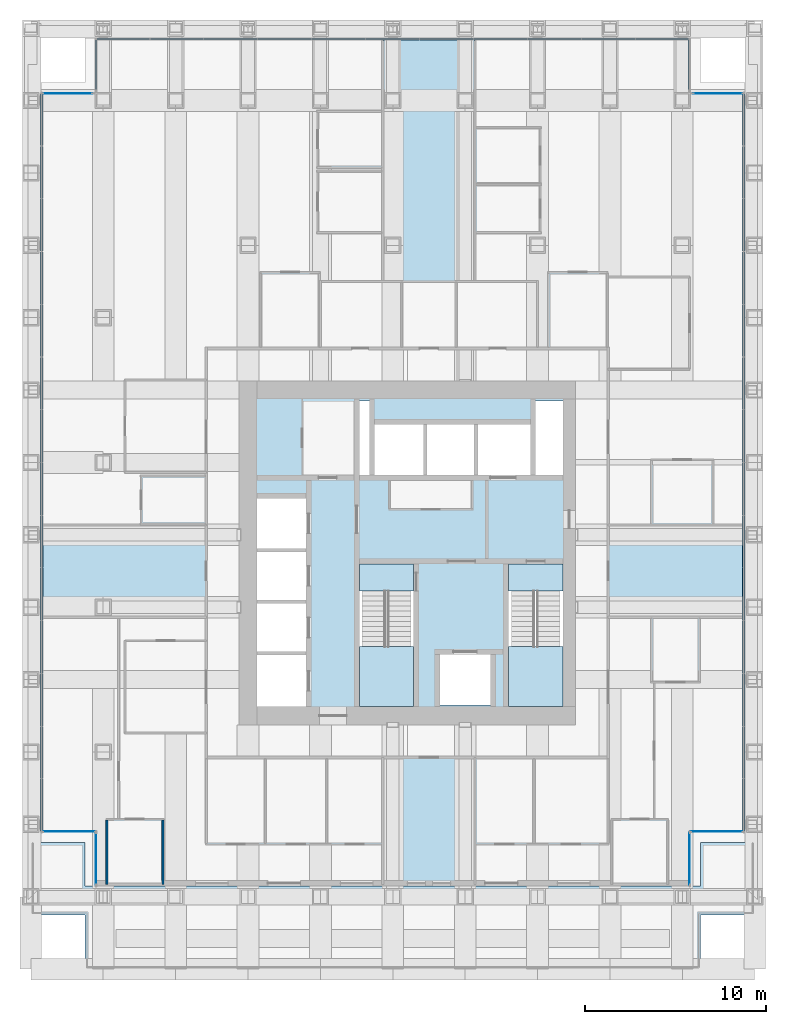
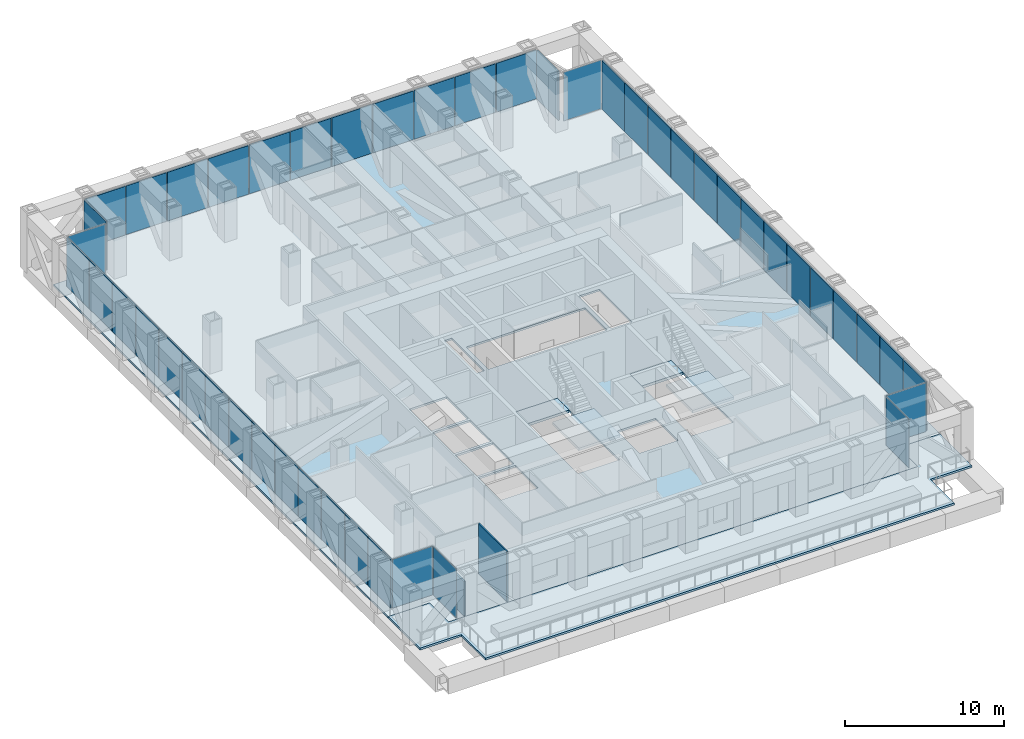
# One storey, part 9 of 16: 47 plates, 6 slabs, 2 walls, 13 elements without a shape of their own.
"""IFC4 building model written with IfcOpenShell, lengths in metres."""

from ifc_helpers import new_model, si_unit, direction, frame, frame_2d, origin, origin_2d, place, context, subcontext, project, spatial, polyline, rectangle, outline, extrude, material, layer, layer_set, type_object, element, aggregate, save


model = new_model("IFC4")

# Units and contexts
model_context = context("Model", 3, precision=1e-05, world=origin(), true_north=direction((0.0, 1.0)))
body_context = subcontext(model_context, "Body", "Model", "MODEL_VIEW")
ifc_project = project(units=[si_unit("LENGTHUNIT", "METRE"), si_unit("AREAUNIT", "SQUARE_METRE"), si_unit("VOLUMEUNIT", "CUBIC_METRE"), si_unit("PLANEANGLEUNIT", "RADIAN"), si_unit("MASSUNIT", "GRAM", prefix="KILO")], contexts=[model_context])

# Site, building, storey
site_placement = place(None, origin())
site = spatial("IfcSite", under=ifc_project, at=site_placement, CompositionType="ELEMENT")
building_placement = place(site_placement, origin())
building = spatial("IfcBuilding", under=site, at=building_placement, Name="Rimbunsela Tower", CompositionType="ELEMENT")
storey_placement = place(building_placement, frame((0.0, 0.0, 171.800048828125)))
storey = spatial("IfcBuildingStorey", under=building, at=storey_placement, Name="L41", CompositionType="ELEMENT", Elevation=171.800048828125)

# Slab
ifc_material_1 = material(Name="Concrete fc' 35 MPa", Category="concrete")
ifc_layer_1 = layer(ifc_material_1, 0.14990234375)
ifc_layer_set_1 = layer_set([ifc_layer_1], Name="Floor slab 150")
slab_type_1 = type_object("IfcSlabType", Name="Floor slab 150", PredefinedType="FLOOR", material=ifc_layer_set_1)
slab_1_placement = place(storey_placement, frame((0.0, 0.0, -0.150146484375)))
element("IfcSlab", 1, at=slab_1_placement, inside=storey, type_object=slab_type_1, Name="Floor slab L41", PredefinedType="FLOOR", context=body_context, shape_type="SweptSolid", body=[
    extrude(outline(polyline([(9.0, 11.0), (9.0, 8.60009765625), (43.0, 8.60009765625), (43.0, 11.0), (46.0, 11.0), (46.0, 53.0), (43.0, 53.0), (43.0, 56.0), (9.0, 56.0), (9.0, 53.0), (6.0, 53.0), (6.0, 11.0), (9.0, 11.0)]), holes=[polyline([(21.199951171875, 21.35009765625), (18.5, 21.35009765625), (18.5, 18.5), (21.199951171875, 18.5), (21.199951171875, 21.35009765625)]), polyline([(21.199951171875, 21.550048828125), (21.199951171875, 24.199951171875), (18.5, 24.199951171875), (18.5, 21.550048828125), (21.199951171875, 21.550048828125)]), polyline([(21.199951171875, 27.050048828125), (18.5, 27.050048828125), (18.5, 24.39990234375), (21.199951171875, 24.39990234375), (21.199951171875, 27.050048828125)]), polyline([(21.199951171875, 27.25), (21.199951171875, 30.0), (18.5, 30.0), (18.5, 27.25), (21.199951171875, 27.25)]), polyline([(27.14990234375, 18.60009765625), (27.14990234375, 26.39990234375), (24.14990234375, 26.39990234375), (24.14990234375, 18.60009765625), (27.14990234375, 18.60009765625)]), polyline([(24.699951171875, 31.300048828125), (24.699951171875, 35.39990234375), (24.14990234375, 35.39990234375), (24.14990234375, 31.300048828125), (24.699951171875, 31.300048828125)]), polyline([(25.0, 34.10009765625), (25.0, 31.300048828125), (33.60009765625, 31.300048828125), (33.60009765625, 34.10009765625), (25.0, 34.10009765625)]), polyline([(31.39990234375, 21.39990234375), (28.60009765625, 21.39990234375), (28.60009765625, 18.60009765625), (31.39990234375, 18.60009765625), (31.39990234375, 21.39990234375)]), polyline([(35.39990234375, 18.60009765625), (35.39990234375, 26.39990234375), (32.39990234375, 26.39990234375), (32.39990234375, 18.60009765625), (35.39990234375, 18.60009765625)]), polyline([(35.39990234375, 31.300048828125), (35.39990234375, 35.39990234375), (33.89990234375, 35.39990234375), (33.89990234375, 31.300048828125), (35.39990234375, 31.300048828125)])]), origin(), (0.0, 0.0, 1.0), 0.150146484375),
])

# Curtain wall, plate
ifc_material_2 = material(Name="Aluminium curtain wall", Category="aluminium")
curtain_wall_type_1 = type_object("IfcCurtainWallType", Name="Corner glazing", PredefinedType="USERDEFINED", material=ifc_material_2)
curtain_wall_1_placement = place(storey_placement, origin())
curtain_wall_1 = element("IfcCurtainWall", 2, at=curtain_wall_1_placement, inside=storey, type_object=curtain_wall_type_1, Name="Corner glazing L41", ObjectType="CORNER GLAZING", PredefinedType="USERDEFINED")
ifc_material_3 = material(Name="Clear double glazing", Category="glass")
ifc_layer_2 = layer(ifc_material_3, 0.028076171875)
ifc_layer_set_2 = layer_set([ifc_layer_2], Name="Glazed panel clear")
plate_type_1 = type_object("IfcPlateType", Name="Glazed panel clear", PredefinedType="CURTAIN_PANEL", material=ifc_layer_set_2)
plate_1_placement = place(storey_placement, frame((42.39990234375, 10.10009765625, 0.06005859375), z_axis=(0.0, 0.0, 1.0), x_axis=(0.0, 1.0, 0.0)))
plate_1 = element("IfcPlate", 3, at=plate_1_placement, type_object=plate_type_1, Name="CW5 panel 1.1", PredefinedType="CURTAIN_PANEL", context=body_context, shape_type="SweptSolid", body=[
    extrude(rectangle(XDim=2.8798828125, YDim=0.028076171875, at=origin_2d()), origin(), (0.0, 0.0, 1.0), 3.72998046875),
])
aggregate(curtain_wall_1, [plate_1])

curtain_wall_2_placement = place(storey_placement, origin())
curtain_wall_2 = element("IfcCurtainWall", 4, at=curtain_wall_2_placement, inside=storey, type_object=curtain_wall_type_1, Name="Corner glazing L41", ObjectType="CORNER GLAZING", PredefinedType="USERDEFINED")
plate_2_placement = place(storey_placement, frame((43.89990234375, 11.60009765625, 0.06005859375), z_axis=(0.0, 0.0, 1.0), x_axis=(1.0, 0.0, 0.0)))
plate_2 = element("IfcPlate", 5, at=plate_2_placement, type_object=plate_type_1, Name="CW5 panel 1.1", PredefinedType="CURTAIN_PANEL", context=body_context, shape_type="SweptSolid", body=[
    extrude(rectangle(XDim=2.8798828125, YDim=0.028076171875, at=origin_2d()), origin(), (0.0, 0.0, 1.0), 3.72998046875),
])
aggregate(curtain_wall_2, [plate_2])

curtain_wall_3_placement = place(storey_placement, origin())
curtain_wall_3 = element("IfcCurtainWall", 6, at=curtain_wall_3_placement, inside=storey, type_object=curtain_wall_type_1, Name="Corner glazing L41", ObjectType="CORNER GLAZING", PredefinedType="USERDEFINED")
plate_3_placement = place(storey_placement, frame((43.97509765625, 52.39990234375, 0.06005859375), z_axis=(0.0, 0.0, 1.0), x_axis=(-1.0, 0.0, 0.0)))
plate_3 = element("IfcPlate", 7, at=plate_3_placement, type_object=plate_type_1, Name="CW5 panel 1.1", PredefinedType="CURTAIN_PANEL", context=body_context, shape_type="SweptSolid", body=[
    extrude(rectangle(XDim=2.72998046875, YDim=0.028076171875, at=origin_2d()), origin(), (0.0, 0.0, 1.0), 3.72998046875),
])
aggregate(curtain_wall_3, [plate_3])

curtain_wall_4_placement = place(storey_placement, origin())
curtain_wall_4 = element("IfcCurtainWall", 8, at=curtain_wall_4_placement, inside=storey, type_object=curtain_wall_type_1, Name="Corner glazing L41", ObjectType="CORNER GLAZING", PredefinedType="USERDEFINED")
plate_4_placement = place(storey_placement, frame((8.02490234375, 52.39990234375, 0.06005859375), z_axis=(0.0, 0.0, 1.0), x_axis=(-1.0, 0.0, 0.0)))
plate_4 = element("IfcPlate", 9, at=plate_4_placement, type_object=plate_type_1, Name="CW5 panel 1.1", PredefinedType="CURTAIN_PANEL", context=body_context, shape_type="SweptSolid", body=[
    extrude(rectangle(XDim=2.72998046875, YDim=0.028076171875, at=origin_2d()), origin(), (0.0, 0.0, 1.0), 3.72998046875),
])
aggregate(curtain_wall_4, [plate_4])

curtain_wall_5_placement = place(storey_placement, origin())
curtain_wall_5 = element("IfcCurtainWall", 10, at=curtain_wall_5_placement, inside=storey, type_object=curtain_wall_type_1, Name="Corner glazing L41", ObjectType="CORNER GLAZING", PredefinedType="USERDEFINED")
plate_5_placement = place(storey_placement, frame((8.10009765625, 11.60009765625, 0.06005859375), z_axis=(0.0, 0.0, 1.0), x_axis=(1.0, 0.0, 0.0)))
plate_5 = element("IfcPlate", 11, at=plate_5_placement, type_object=plate_type_1, Name="CW5 panel 1.1", PredefinedType="CURTAIN_PANEL", context=body_context, shape_type="SweptSolid", body=[
    extrude(rectangle(XDim=2.8798828125, YDim=0.028076171875, at=origin_2d()), origin(), (0.0, 0.0, 1.0), 3.72998046875),
])
aggregate(curtain_wall_5, [plate_5])

curtain_wall_6_placement = place(storey_placement, origin())
curtain_wall_6 = element("IfcCurtainWall", 12, at=curtain_wall_6_placement, inside=storey, type_object=curtain_wall_type_1, Name="Corner glazing L41", ObjectType="CORNER GLAZING", PredefinedType="USERDEFINED")
plate_6_placement = place(storey_placement, frame((9.60009765625, 10.10009765625, 0.06005859375), z_axis=(0.0, 0.0, 1.0), x_axis=(0.0, -1.0, 0.0)))
plate_6 = element("IfcPlate", 13, at=plate_6_placement, type_object=plate_type_1, Name="CW5 panel 1.1", PredefinedType="CURTAIN_PANEL", context=body_context, shape_type="SweptSolid", body=[
    extrude(rectangle(XDim=2.8798828125, YDim=0.028076171875, at=origin_2d()), origin(), (0.0, 0.0, 1.0), 3.72998046875),
])
aggregate(curtain_wall_6, [plate_6])

# Curtain wall, plates
ifc_material_4 = material(Name="Aluminium curtain wall", Category="aluminium")
curtain_wall_type_2 = type_object("IfcCurtainWallType", Name="Exoskeleton storey infill", PredefinedType="USERDEFINED", material=ifc_material_4)
curtain_wall_7_placement = place(storey_placement, origin())
curtain_wall_7 = element("IfcCurtainWall", 14, at=curtain_wall_7_placement, inside=storey, type_object=curtain_wall_type_2, Name="Exoskeleton storey infill L41", ObjectType="EXOSKELETON STOREY INFILL", PredefinedType="USERDEFINED")
ifc_material_5 = material(Name="Insulated aluminium spandrel panel", Category="aluminium")
ifc_layer_3 = layer(ifc_material_5, 0.10009765625)
ifc_layer_set_3 = layer_set([ifc_layer_3], Name="Insulated panel 100")
plate_type_2 = type_object("IfcPlateType", Name="Insulated panel 100", PredefinedType="CURTAIN_PANEL", material=ifc_layer_set_3)
plate_7_placement = place(storey_placement, frame((45.39990234375, 13.072021484375, 0.06005859375), z_axis=(0.0, 0.0, 1.0), x_axis=(0.0, 1.0, 0.0)))
plate_7 = element("IfcPlate", 15, at=plate_7_placement, type_object=plate_type_2, Name="CW2 panel 1.1", PredefinedType="CURTAIN_PANEL", context=body_context, shape_type="SweptSolid", body=[
    extrude(rectangle(XDim=2.82421875, YDim=0.10009765625, at=origin_2d()), origin(), (0.0, 0.0, 1.0), 3.72998046875),
])
plate_8_placement = place(storey_placement, frame((45.39990234375, 15.971435546875, 0.06005859375), z_axis=(0.0, 0.0, 1.0), x_axis=(0.0, 1.0, 0.0)))
plate_8 = element("IfcPlate", 16, at=plate_8_placement, type_object=plate_type_2, Name="CW2 panel 2.1", PredefinedType="CURTAIN_PANEL", context=body_context, shape_type="SweptSolid", body=[
    extrude(rectangle(XDim=2.854248046875, YDim=0.10009765625, at=origin_2d()), origin(), (0.0, 0.0, 1.0), 3.72998046875),
])
plate_9_placement = place(storey_placement, frame((45.39990234375, 18.8857421875, 0.06005859375), z_axis=(0.0, 0.0, 1.0), x_axis=(0.0, 1.0, 0.0)))
plate_9 = element("IfcPlate", 17, at=plate_9_placement, type_object=plate_type_2, Name="CW2 panel 3.1", PredefinedType="CURTAIN_PANEL", context=body_context, shape_type="SweptSolid", body=[
    extrude(rectangle(XDim=2.854248046875, YDim=0.10009765625, at=origin_2d()), origin(), (0.0, 0.0, 1.0), 3.72998046875),
])
plate_10_placement = place(storey_placement, frame((45.39990234375, 21.800048828125, 0.06005859375), z_axis=(0.0, 0.0, 1.0), x_axis=(0.0, 1.0, 0.0)))
plate_10 = element("IfcPlate", 18, at=plate_10_placement, type_object=plate_type_2, Name="CW2 panel 4.1", PredefinedType="CURTAIN_PANEL", context=body_context, shape_type="SweptSolid", body=[
    extrude(rectangle(XDim=2.854248046875, YDim=0.10009765625, at=origin_2d()), origin(), (0.0, 0.0, 1.0), 3.72998046875),
])
plate_11_placement = place(storey_placement, frame((45.39990234375, 24.71435546875, 0.06005859375), z_axis=(0.0, 0.0, 1.0), x_axis=(0.0, 1.0, 0.0)))
plate_11 = element("IfcPlate", 19, at=plate_11_placement, type_object=plate_type_2, Name="CW2 panel 5.1", PredefinedType="CURTAIN_PANEL", context=body_context, shape_type="SweptSolid", body=[
    extrude(rectangle(XDim=2.854248046875, YDim=0.10009765625, at=origin_2d()), origin(), (0.0, 0.0, 1.0), 3.72998046875),
])
plate_12_placement = place(storey_placement, frame((45.39990234375, 27.628662109375, 0.06005859375), z_axis=(0.0, 0.0, 1.0), x_axis=(0.0, 1.0, 0.0)))
plate_12 = element("IfcPlate", 20, at=plate_12_placement, type_object=plate_type_2, Name="CW2 panel 6.1", PredefinedType="CURTAIN_PANEL", context=body_context, shape_type="SweptSolid", body=[
    extrude(rectangle(XDim=2.854248046875, YDim=0.10009765625, at=origin_2d()), origin(), (0.0, 0.0, 1.0), 3.72998046875),
])
plate_13_placement = place(storey_placement, frame((45.39990234375, 30.54296875, 0.06005859375), z_axis=(0.0, 0.0, 1.0), x_axis=(0.0, 1.0, 0.0)))
plate_13 = element("IfcPlate", 21, at=plate_13_placement, type_object=plate_type_2, Name="CW2 panel 7.1", PredefinedType="CURTAIN_PANEL", context=body_context, shape_type="SweptSolid", body=[
    extrude(rectangle(XDim=2.854248046875, YDim=0.10009765625, at=origin_2d()), origin(), (0.0, 0.0, 1.0), 3.72998046875),
])
plate_14_placement = place(storey_placement, frame((45.39990234375, 33.45703125, 0.06005859375), z_axis=(0.0, 0.0, 1.0), x_axis=(0.0, 1.0, 0.0)))
plate_14 = element("IfcPlate", 22, at=plate_14_placement, type_object=plate_type_2, Name="CW2 panel 8.1", PredefinedType="CURTAIN_PANEL", context=body_context, shape_type="SweptSolid", body=[
    extrude(rectangle(XDim=2.854248046875, YDim=0.10009765625, at=origin_2d()), origin(), (0.0, 0.0, 1.0), 3.72998046875),
])
plate_15_placement = place(storey_placement, frame((45.39990234375, 36.371337890625, 0.06005859375), z_axis=(0.0, 0.0, 1.0), x_axis=(0.0, 1.0, 0.0)))
plate_15 = element("IfcPlate", 23, at=plate_15_placement, type_object=plate_type_2, Name="CW2 panel 9.1", PredefinedType="CURTAIN_PANEL", context=body_context, shape_type="SweptSolid", body=[
    extrude(rectangle(XDim=2.854248046875, YDim=0.10009765625, at=origin_2d()), origin(), (0.0, 0.0, 1.0), 3.72998046875),
])
plate_16_placement = place(storey_placement, frame((45.39990234375, 39.28564453125, 0.06005859375), z_axis=(0.0, 0.0, 1.0), x_axis=(0.0, 1.0, 0.0)))
plate_16 = element("IfcPlate", 24, at=plate_16_placement, type_object=plate_type_2, Name="CW2 panel 10.1", PredefinedType="CURTAIN_PANEL", context=body_context, shape_type="SweptSolid", body=[
    extrude(rectangle(XDim=2.854248046875, YDim=0.10009765625, at=origin_2d()), origin(), (0.0, 0.0, 1.0), 3.72998046875),
])
plate_17_placement = place(storey_placement, frame((45.39990234375, 42.199951171875, 0.06005859375), z_axis=(0.0, 0.0, 1.0), x_axis=(0.0, 1.0, 0.0)))
plate_17 = element("IfcPlate", 25, at=plate_17_placement, type_object=plate_type_2, Name="CW2 panel 11.1", PredefinedType="CURTAIN_PANEL", context=body_context, shape_type="SweptSolid", body=[
    extrude(rectangle(XDim=2.854248046875, YDim=0.10009765625, at=origin_2d()), origin(), (0.0, 0.0, 1.0), 3.72998046875),
])
plate_18_placement = place(storey_placement, frame((45.39990234375, 45.1142578125, 0.06005859375), z_axis=(0.0, 0.0, 1.0), x_axis=(0.0, 1.0, 0.0)))
plate_18 = element("IfcPlate", 26, at=plate_18_placement, type_object=plate_type_2, Name="CW2 panel 12.1", PredefinedType="CURTAIN_PANEL", context=body_context, shape_type="SweptSolid", body=[
    extrude(rectangle(XDim=2.854248046875, YDim=0.10009765625, at=origin_2d()), origin(), (0.0, 0.0, 1.0), 3.72998046875),
])
plate_19_placement = place(storey_placement, frame((45.39990234375, 48.028564453125, 0.06005859375), z_axis=(0.0, 0.0, 1.0), x_axis=(0.0, 1.0, 0.0)))
plate_19 = element("IfcPlate", 27, at=plate_19_placement, type_object=plate_type_2, Name="CW2 panel 13.1", PredefinedType="CURTAIN_PANEL", context=body_context, shape_type="SweptSolid", body=[
    extrude(rectangle(XDim=2.854248046875, YDim=0.10009765625, at=origin_2d()), origin(), (0.0, 0.0, 1.0), 3.72998046875),
])
plate_20_placement = place(storey_placement, frame((45.39990234375, 50.927978515625, 0.06005859375), z_axis=(0.0, 0.0, 1.0), x_axis=(0.0, 1.0, 0.0)))
plate_20 = element("IfcPlate", 28, at=plate_20_placement, type_object=plate_type_2, Name="CW2 panel 14.1", PredefinedType="CURTAIN_PANEL", context=body_context, shape_type="SweptSolid", body=[
    extrude(rectangle(XDim=2.82421875, YDim=0.10009765625, at=origin_2d()), origin(), (0.0, 0.0, 1.0), 3.72998046875),
])
aggregate(curtain_wall_7, [plate_7, plate_8, plate_9, plate_10, plate_11, plate_12, plate_13, plate_14, plate_15, plate_16, plate_17, plate_18, plate_19, plate_20])

# Curtain wall, plate
ifc_material_6 = material(Name="Aluminium curtain wall", Category="aluminium")
curtain_wall_type_3 = type_object("IfcCurtainWallType", Name="Spandrel wall", PredefinedType="USERDEFINED", material=ifc_material_6)
curtain_wall_8_placement = place(storey_placement, origin())
curtain_wall_8 = element("IfcCurtainWall", 29, at=curtain_wall_8_placement, inside=storey, type_object=curtain_wall_type_3, Name="Spandrel wall L41", ObjectType="SPANDREL WALL", PredefinedType="USERDEFINED")
plate_21_placement = place(storey_placement, frame((42.39990234375, 53.97509765625, 0.06005859375), z_axis=(0.0, 0.0, 1.0), x_axis=(0.0, 1.0, 0.0)))
plate_21 = element("IfcPlate", 30, at=plate_21_placement, type_object=plate_type_2, Name="CW7 panel 1.1", PredefinedType="CURTAIN_PANEL", context=body_context, shape_type="SweptSolid", body=[
    extrude(rectangle(XDim=2.72998046875, YDim=0.10009765625, at=origin_2d()), origin(), (0.0, 0.0, 1.0), 3.72998046875),
])
aggregate(curtain_wall_8, [plate_21])

# Curtain wall, plates
curtain_wall_9_placement = place(storey_placement, origin())
curtain_wall_9 = element("IfcCurtainWall", 31, at=curtain_wall_9_placement, inside=storey, type_object=curtain_wall_type_2, Name="Exoskeleton storey infill L41", ObjectType="EXOSKELETON STOREY INFILL", PredefinedType="USERDEFINED")
plate_22_placement = place(storey_placement, frame((40.89404296875, 55.39990234375, 0.06005859375), z_axis=(0.0, 0.0, 1.0), x_axis=(-1.0, 0.0, 0.0)))
plate_22 = element("IfcPlate", 32, at=plate_22_placement, type_object=plate_type_2, Name="CW2 panel 1.1", PredefinedType="CURTAIN_PANEL", context=body_context, shape_type="SweptSolid", body=[
    extrude(rectangle(XDim=2.891845703125, YDim=0.10009765625, at=origin_2d()), origin(), (0.0, 0.0, 1.0), 3.72998046875),
])
plate_23_placement = place(storey_placement, frame((37.92724609375, 55.39990234375, 0.06005859375), z_axis=(0.0, 0.0, 1.0), x_axis=(-1.0, 0.0, 0.0)))
plate_23 = element("IfcPlate", 33, at=plate_23_placement, type_object=plate_type_2, Name="CW2 panel 2.1", PredefinedType="CURTAIN_PANEL", context=body_context, shape_type="SweptSolid", body=[
    extrude(rectangle(XDim=2.921875, YDim=0.10009765625, at=origin_2d()), origin(), (0.0, 0.0, 1.0), 3.72998046875),
])
plate_24_placement = place(storey_placement, frame((34.945556640625, 55.39990234375, 0.06005859375), z_axis=(0.0, 0.0, 1.0), x_axis=(-1.0, 0.0, 0.0)))
plate_24 = element("IfcPlate", 34, at=plate_24_placement, type_object=plate_type_2, Name="CW2 panel 3.1", PredefinedType="CURTAIN_PANEL", context=body_context, shape_type="SweptSolid", body=[
    extrude(rectangle(XDim=2.921875, YDim=0.10009765625, at=origin_2d()), origin(), (0.0, 0.0, 1.0), 3.72998046875),
])
plate_25_placement = place(storey_placement, frame((31.963623046875, 55.39990234375, 0.06005859375), z_axis=(0.0, 0.0, 1.0), x_axis=(-1.0, 0.0, 0.0)))
plate_25 = element("IfcPlate", 35, at=plate_25_placement, type_object=plate_type_2, Name="CW2 panel 4.1", PredefinedType="CURTAIN_PANEL", context=body_context, shape_type="SweptSolid", body=[
    extrude(rectangle(XDim=2.921875, YDim=0.10009765625, at=origin_2d()), origin(), (0.0, 0.0, 1.0), 3.72998046875),
])
plate_26_placement = place(storey_placement, frame((28.98193359375, 55.39990234375, 0.06005859375), z_axis=(0.0, 0.0, 1.0), x_axis=(-1.0, 0.0, 0.0)))
plate_26 = element("IfcPlate", 36, at=plate_26_placement, type_object=plate_type_2, Name="CW2 panel 5.1", PredefinedType="CURTAIN_PANEL", context=body_context, shape_type="SweptSolid", body=[
    extrude(rectangle(XDim=2.921875, YDim=0.10009765625, at=origin_2d()), origin(), (0.0, 0.0, 1.0), 3.72998046875),
])
plate_27_placement = place(storey_placement, frame((26.0, 55.39990234375, 0.06005859375), z_axis=(0.0, 0.0, 1.0), x_axis=(-1.0, 0.0, 0.0)))
plate_27 = element("IfcPlate", 37, at=plate_27_placement, type_object=plate_type_2, Name="CW2 panel 6.1", PredefinedType="CURTAIN_PANEL", context=body_context, shape_type="SweptSolid", body=[
    extrude(rectangle(XDim=2.921875, YDim=0.10009765625, at=origin_2d()), origin(), (0.0, 0.0, 1.0), 3.72998046875),
])
plate_28_placement = place(storey_placement, frame((23.01806640625, 55.39990234375, 0.06005859375), z_axis=(0.0, 0.0, 1.0), x_axis=(-1.0, 0.0, 0.0)))
plate_28 = element("IfcPlate", 38, at=plate_28_placement, type_object=plate_type_2, Name="CW2 panel 7.1", PredefinedType="CURTAIN_PANEL", context=body_context, shape_type="SweptSolid", body=[
    extrude(rectangle(XDim=2.921875, YDim=0.10009765625, at=origin_2d()), origin(), (0.0, 0.0, 1.0), 3.72998046875),
])
plate_29_placement = place(storey_placement, frame((20.036376953125, 55.39990234375, 0.06005859375), z_axis=(0.0, 0.0, 1.0), x_axis=(-1.0, 0.0, 0.0)))
plate_29 = element("IfcPlate", 39, at=plate_29_placement, type_object=plate_type_2, Name="CW2 panel 8.1", PredefinedType="CURTAIN_PANEL", context=body_context, shape_type="SweptSolid", body=[
    extrude(rectangle(XDim=2.921875, YDim=0.10009765625, at=origin_2d()), origin(), (0.0, 0.0, 1.0), 3.72998046875),
])
plate_30_placement = place(storey_placement, frame((17.054443359375, 55.39990234375, 0.06005859375), z_axis=(0.0, 0.0, 1.0), x_axis=(-1.0, 0.0, 0.0)))
plate_30 = element("IfcPlate", 40, at=plate_30_placement, type_object=plate_type_2, Name="CW2 panel 9.1", PredefinedType="CURTAIN_PANEL", context=body_context, shape_type="SweptSolid", body=[
    extrude(rectangle(XDim=2.921875, YDim=0.10009765625, at=origin_2d()), origin(), (0.0, 0.0, 1.0), 3.72998046875),
])
plate_31_placement = place(storey_placement, frame((14.07275390625, 55.39990234375, 0.06005859375), z_axis=(0.0, 0.0, 1.0), x_axis=(-1.0, 0.0, 0.0)))
plate_31 = element("IfcPlate", 41, at=plate_31_placement, type_object=plate_type_2, Name="CW2 panel 10.1", PredefinedType="CURTAIN_PANEL", context=body_context, shape_type="SweptSolid", body=[
    extrude(rectangle(XDim=2.921875, YDim=0.10009765625, at=origin_2d()), origin(), (0.0, 0.0, 1.0), 3.72998046875),
])
plate_32_placement = place(storey_placement, frame((11.10595703125, 55.39990234375, 0.06005859375), z_axis=(0.0, 0.0, 1.0), x_axis=(-1.0, 0.0, 0.0)))
plate_32 = element("IfcPlate", 42, at=plate_32_placement, type_object=plate_type_2, Name="CW2 panel 11.1", PredefinedType="CURTAIN_PANEL", context=body_context, shape_type="SweptSolid", body=[
    extrude(rectangle(XDim=2.891845703125, YDim=0.10009765625, at=origin_2d()), origin(), (0.0, 0.0, 1.0), 3.72998046875),
])
aggregate(curtain_wall_9, [plate_22, plate_23, plate_24, plate_25, plate_26, plate_27, plate_28, plate_29, plate_30, plate_31, plate_32])

# Curtain wall, plate
curtain_wall_10_placement = place(storey_placement, origin())
curtain_wall_10 = element("IfcCurtainWall", 43, at=curtain_wall_10_placement, inside=storey, type_object=curtain_wall_type_3, Name="Spandrel wall L41", ObjectType="SPANDREL WALL", PredefinedType="USERDEFINED")
plate_33_placement = place(storey_placement, frame((9.60009765625, 53.97509765625, 0.06005859375), z_axis=(0.0, 0.0, 1.0), x_axis=(0.0, -1.0, 0.0)))
plate_33 = element("IfcPlate", 44, at=plate_33_placement, type_object=plate_type_2, Name="CW7 panel 1.1", PredefinedType="CURTAIN_PANEL", context=body_context, shape_type="SweptSolid", body=[
    extrude(rectangle(XDim=2.72998046875, YDim=0.10009765625, at=origin_2d()), origin(), (0.0, 0.0, 1.0), 3.72998046875),
])
aggregate(curtain_wall_10, [plate_33])

# Curtain wall, plates
curtain_wall_11_placement = place(storey_placement, origin())
curtain_wall_11 = element("IfcCurtainWall", 45, at=curtain_wall_11_placement, inside=storey, type_object=curtain_wall_type_2, Name="Exoskeleton storey infill L41", ObjectType="EXOSKELETON STOREY INFILL", PredefinedType="USERDEFINED")
plate_34_placement = place(storey_placement, frame((6.60009765625, 50.927978515625, 0.06005859375), z_axis=(0.0, 0.0, 1.0), x_axis=(0.0, -1.0, 0.0)))
plate_34 = element("IfcPlate", 46, at=plate_34_placement, type_object=plate_type_2, Name="CW2 panel 1.1", PredefinedType="CURTAIN_PANEL", context=body_context, shape_type="SweptSolid", body=[
    extrude(rectangle(XDim=2.82421875, YDim=0.10009765625, at=origin_2d()), origin(), (0.0, 0.0, 1.0), 3.72998046875),
])
plate_35_placement = place(storey_placement, frame((6.60009765625, 48.028564453125, 0.06005859375), z_axis=(0.0, 0.0, 1.0), x_axis=(0.0, -1.0, 0.0)))
plate_35 = element("IfcPlate", 47, at=plate_35_placement, type_object=plate_type_2, Name="CW2 panel 2.1", PredefinedType="CURTAIN_PANEL", context=body_context, shape_type="SweptSolid", body=[
    extrude(rectangle(XDim=2.854248046875, YDim=0.10009765625, at=origin_2d()), origin(), (0.0, 0.0, 1.0), 3.72998046875),
])
plate_36_placement = place(storey_placement, frame((6.60009765625, 45.1142578125, 0.06005859375), z_axis=(0.0, 0.0, 1.0), x_axis=(0.0, -1.0, 0.0)))
plate_36 = element("IfcPlate", 48, at=plate_36_placement, type_object=plate_type_2, Name="CW2 panel 3.1", PredefinedType="CURTAIN_PANEL", context=body_context, shape_type="SweptSolid", body=[
    extrude(rectangle(XDim=2.854248046875, YDim=0.10009765625, at=origin_2d()), origin(), (0.0, 0.0, 1.0), 3.72998046875),
])
plate_37_placement = place(storey_placement, frame((6.60009765625, 42.199951171875, 0.06005859375), z_axis=(0.0, 0.0, 1.0), x_axis=(0.0, -1.0, 0.0)))
plate_37 = element("IfcPlate", 49, at=plate_37_placement, type_object=plate_type_2, Name="CW2 panel 4.1", PredefinedType="CURTAIN_PANEL", context=body_context, shape_type="SweptSolid", body=[
    extrude(rectangle(XDim=2.854248046875, YDim=0.10009765625, at=origin_2d()), origin(), (0.0, 0.0, 1.0), 3.72998046875),
])
plate_38_placement = place(storey_placement, frame((6.60009765625, 39.28564453125, 0.06005859375), z_axis=(0.0, 0.0, 1.0), x_axis=(0.0, -1.0, 0.0)))
plate_38 = element("IfcPlate", 50, at=plate_38_placement, type_object=plate_type_2, Name="CW2 panel 5.1", PredefinedType="CURTAIN_PANEL", context=body_context, shape_type="SweptSolid", body=[
    extrude(rectangle(XDim=2.854248046875, YDim=0.10009765625, at=origin_2d()), origin(), (0.0, 0.0, 1.0), 3.72998046875),
])
plate_39_placement = place(storey_placement, frame((6.60009765625, 36.371337890625, 0.06005859375), z_axis=(0.0, 0.0, 1.0), x_axis=(0.0, -1.0, 0.0)))
plate_39 = element("IfcPlate", 51, at=plate_39_placement, type_object=plate_type_2, Name="CW2 panel 6.1", PredefinedType="CURTAIN_PANEL", context=body_context, shape_type="SweptSolid", body=[
    extrude(rectangle(XDim=2.854248046875, YDim=0.10009765625, at=origin_2d()), origin(), (0.0, 0.0, 1.0), 3.72998046875),
])
plate_40_placement = place(storey_placement, frame((6.60009765625, 33.45703125, 0.06005859375), z_axis=(0.0, 0.0, 1.0), x_axis=(0.0, -1.0, 0.0)))
plate_40 = element("IfcPlate", 52, at=plate_40_placement, type_object=plate_type_2, Name="CW2 panel 7.1", PredefinedType="CURTAIN_PANEL", context=body_context, shape_type="SweptSolid", body=[
    extrude(rectangle(XDim=2.854248046875, YDim=0.10009765625, at=origin_2d()), origin(), (0.0, 0.0, 1.0), 3.72998046875),
])
plate_41_placement = place(storey_placement, frame((6.60009765625, 30.54296875, 0.06005859375), z_axis=(0.0, 0.0, 1.0), x_axis=(0.0, -1.0, 0.0)))
plate_41 = element("IfcPlate", 53, at=plate_41_placement, type_object=plate_type_2, Name="CW2 panel 8.1", PredefinedType="CURTAIN_PANEL", context=body_context, shape_type="SweptSolid", body=[
    extrude(rectangle(XDim=2.854248046875, YDim=0.10009765625, at=origin_2d()), origin(), (0.0, 0.0, 1.0), 3.72998046875),
])
plate_42_placement = place(storey_placement, frame((6.60009765625, 27.628662109375, 0.06005859375), z_axis=(0.0, 0.0, 1.0), x_axis=(0.0, -1.0, 0.0)))
plate_42 = element("IfcPlate", 54, at=plate_42_placement, type_object=plate_type_2, Name="CW2 panel 9.1", PredefinedType="CURTAIN_PANEL", context=body_context, shape_type="SweptSolid", body=[
    extrude(rectangle(XDim=2.854248046875, YDim=0.10009765625, at=origin_2d()), origin(), (0.0, 0.0, 1.0), 3.72998046875),
])
plate_43_placement = place(storey_placement, frame((6.60009765625, 24.71435546875, 0.06005859375), z_axis=(0.0, 0.0, 1.0), x_axis=(0.0, -1.0, 0.0)))
plate_43 = element("IfcPlate", 55, at=plate_43_placement, type_object=plate_type_2, Name="CW2 panel 10.1", PredefinedType="CURTAIN_PANEL", context=body_context, shape_type="SweptSolid", body=[
    extrude(rectangle(XDim=2.854248046875, YDim=0.10009765625, at=origin_2d()), origin(), (0.0, 0.0, 1.0), 3.72998046875),
])
plate_44_placement = place(storey_placement, frame((6.60009765625, 21.800048828125, 0.06005859375), z_axis=(0.0, 0.0, 1.0), x_axis=(0.0, -1.0, 0.0)))
plate_44 = element("IfcPlate", 56, at=plate_44_placement, type_object=plate_type_2, Name="CW2 panel 11.1", PredefinedType="CURTAIN_PANEL", context=body_context, shape_type="SweptSolid", body=[
    extrude(rectangle(XDim=2.854248046875, YDim=0.10009765625, at=origin_2d()), origin(), (0.0, 0.0, 1.0), 3.72998046875),
])
plate_45_placement = place(storey_placement, frame((6.60009765625, 18.8857421875, 0.06005859375), z_axis=(0.0, 0.0, 1.0), x_axis=(0.0, -1.0, 0.0)))
plate_45 = element("IfcPlate", 57, at=plate_45_placement, type_object=plate_type_2, Name="CW2 panel 12.1", PredefinedType="CURTAIN_PANEL", context=body_context, shape_type="SweptSolid", body=[
    extrude(rectangle(XDim=2.854248046875, YDim=0.10009765625, at=origin_2d()), origin(), (0.0, 0.0, 1.0), 3.72998046875),
])
plate_46_placement = place(storey_placement, frame((6.60009765625, 15.971435546875, 0.06005859375), z_axis=(0.0, 0.0, 1.0), x_axis=(0.0, -1.0, 0.0)))
plate_46 = element("IfcPlate", 58, at=plate_46_placement, type_object=plate_type_2, Name="CW2 panel 13.1", PredefinedType="CURTAIN_PANEL", context=body_context, shape_type="SweptSolid", body=[
    extrude(rectangle(XDim=2.854248046875, YDim=0.10009765625, at=origin_2d()), origin(), (0.0, 0.0, 1.0), 3.72998046875),
])
plate_47_placement = place(storey_placement, frame((6.60009765625, 13.072021484375, 0.06005859375), z_axis=(0.0, 0.0, 1.0), x_axis=(0.0, -1.0, 0.0)))
plate_47 = element("IfcPlate", 59, at=plate_47_placement, type_object=plate_type_2, Name="CW2 panel 14.1", PredefinedType="CURTAIN_PANEL", context=body_context, shape_type="SweptSolid", body=[
    extrude(rectangle(XDim=2.82421875, YDim=0.10009765625, at=origin_2d()), origin(), (0.0, 0.0, 1.0), 3.72998046875),
])
aggregate(curtain_wall_11, [plate_34, plate_35, plate_36, plate_37, plate_38, plate_39, plate_40, plate_41, plate_42, plate_43, plate_44, plate_45, plate_46, plate_47])

# Stair, slabs
ifc_material_7 = material(Name="Concrete fc' 35 MPa", Category="concrete")
stair_type = type_object("IfcStairType", Name="Exit stair 24 risers", PredefinedType="HALF_TURN_STAIR", material=ifc_material_7)
stair_1_placement = place(storey_placement, origin())
stair_1 = element("IfcStair", 60, at=stair_1_placement, inside=storey, type_object=stair_type, Name="Exit stair A L41", PredefinedType="HALF_TURN_STAIR")
ifc_material_8 = material(Name="Concrete fc' 35 MPa", Category="concrete")
ifc_layer_4 = layer(ifc_material_8, 0.199951171875)
ifc_layer_set_4 = layer_set([ifc_layer_4], Name="Stair landing 200")
slab_type_2 = type_object("IfcSlabType", Name="Stair landing 200", PredefinedType="LANDING", material=ifc_layer_set_4)
slab_2_placement = place(storey_placement, frame((0.0, 0.0, -0.199951171875)))
slab_2 = element("IfcSlab", 61, at=slab_2_placement, type_object=slab_type_2, Name="ST-A landing 1", PredefinedType="LANDING", context=body_context, shape_type="SweptSolid", body=[
    extrude(outline(polyline([(24.14990234375, 24.89990234375), (27.14990234375, 24.89990234375), (27.14990234375, 26.39990234375), (24.14990234375, 26.39990234375), (24.14990234375, 24.89990234375)])), origin(), (0.0, 0.0, 1.0), 0.199951171875),
])
slab_3_placement = place(storey_placement, frame((0.0, 0.0, 1.800048828125)))
slab_3 = element("IfcSlab", 62, at=slab_3_placement, type_object=slab_type_2, Name="ST-A landing 2", PredefinedType="LANDING", context=body_context, shape_type="SweptSolid", body=[
    extrude(outline(polyline([(24.14990234375, 18.5), (27.14990234375, 18.5), (27.14990234375, 21.820068359375), (24.14990234375, 21.820068359375), (24.14990234375, 18.5)])), origin(), (0.0, 0.0, 1.0), 0.199951171875),
])
aggregate(stair_1, [slab_2, slab_3])

stair_2_placement = place(storey_placement, origin())
stair_2 = element("IfcStair", 63, at=stair_2_placement, inside=storey, type_object=stair_type, Name="Exit stair B L41", PredefinedType="HALF_TURN_STAIR")
slab_4_placement = place(storey_placement, frame((0.0, 0.0, -0.199951171875)))
slab_4 = element("IfcSlab", 64, at=slab_4_placement, type_object=slab_type_2, Name="ST-B landing 1", PredefinedType="LANDING", context=body_context, shape_type="SweptSolid", body=[
    extrude(outline(polyline([(32.39990234375, 24.89990234375), (35.39990234375, 24.89990234375), (35.39990234375, 26.39990234375), (32.39990234375, 26.39990234375), (32.39990234375, 24.89990234375)])), origin(), (0.0, 0.0, 1.0), 0.199951171875),
])
slab_5_placement = place(storey_placement, frame((0.0, 0.0, 1.800048828125)))
slab_5 = element("IfcSlab", 65, at=slab_5_placement, type_object=slab_type_2, Name="ST-B landing 2", PredefinedType="LANDING", context=body_context, shape_type="SweptSolid", body=[
    extrude(outline(polyline([(32.39990234375, 18.5), (35.39990234375, 18.5), (35.39990234375, 21.820068359375), (32.39990234375, 21.820068359375), (32.39990234375, 18.5)])), origin(), (0.0, 0.0, 1.0), 0.199951171875),
])
aggregate(stair_2, [slab_4, slab_5])

# Slab
ifc_material_9 = material(Name="Concrete fc' 35 MPa", Category="concrete")
ifc_layer_5 = layer(ifc_material_9, 0.14990234375)
ifc_layer_set_5 = layer_set([ifc_layer_5], Name="Terrace slab 150")
slab_type_3 = type_object("IfcSlabType", Name="Terrace slab 150", PredefinedType="ROOF", material=ifc_layer_set_5)
slab_6_placement = place(storey_placement, frame((0.0, 0.0, -0.150146484375)))
element("IfcSlab", 66, at=slab_6_placement, inside=storey, type_object=slab_type_3, Name="Terrace L41", PredefinedType="ROOF", context=body_context, shape_type="SweptSolid", body=[
    extrude(outline(polyline([(46.0, 7.0), (43.0, 7.0), (43.0, 4.0), (9.0, 4.0), (9.0, 7.0), (6.0, 7.0), (6.0, 11.0), (9.0, 11.0), (9.0, 8.60009765625), (43.0, 8.60009765625), (43.0, 11.0), (46.0, 11.0), (46.0, 7.0)])), origin(), (0.0, 0.0, 1.0), 0.150146484375),
])

# Walls
ifc_material_10 = material(Name="Gypsum board on steel studs", Category="steel")
ifc_layer_6 = layer(ifc_material_10, 0.10009765625)
ifc_layer_set_6 = layer_set([ifc_layer_6], Name="Office partition 100")
wall_type = type_object("IfcWallType", Name="Office partition 100", PredefinedType="PARTITIONING", material=ifc_layer_set_6)
wall_1_placement = place(storey_placement, frame((10.199951171875, 8.679931640625, 0.0), z_axis=(0.0, 0.0, 1.0), x_axis=(0.0, 1.0, 0.0)))
element("IfcWall", 67, at=wall_1_placement, inside=storey, type_object=wall_type, Name="Office partition", PredefinedType="PARTITIONING", context=body_context, shape_type="SweptSolid", body=[
    extrude(rectangle(XDim=3.550048828125, YDim=0.10009765625, at=frame_2d((1.77490234375, 0.0))), origin(), (0.0, 0.0, 1.0), 2.64990234375),
])
wall_2_placement = place(storey_placement, frame((13.300048828125, 8.679931640625, 0.0), z_axis=(0.0, 0.0, 1.0), x_axis=(0.0, 1.0, 0.0)))
element("IfcWall", 68, at=wall_2_placement, inside=storey, type_object=wall_type, Name="Office partition", PredefinedType="PARTITIONING", context=body_context, shape_type="SweptSolid", body=[
    extrude(rectangle(XDim=3.550048828125, YDim=0.10009765625, at=frame_2d((1.77490234375, 0.0))), origin(), (0.0, 0.0, 1.0), 3.849853515625),
])

save(model, "model.ifc")
